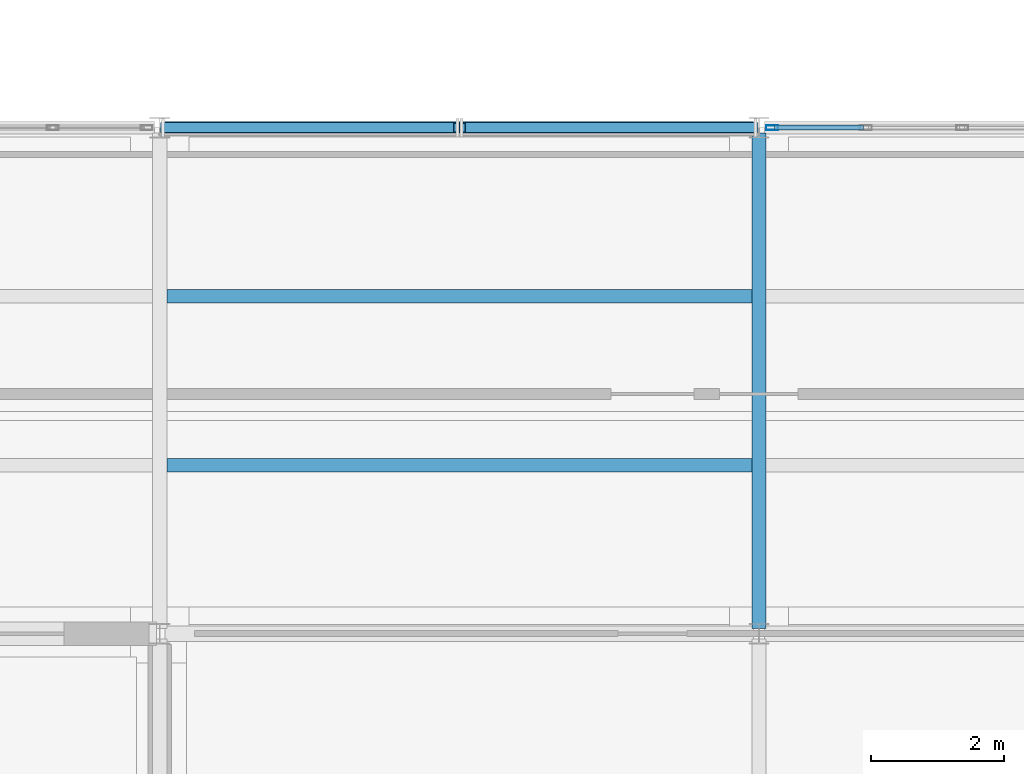
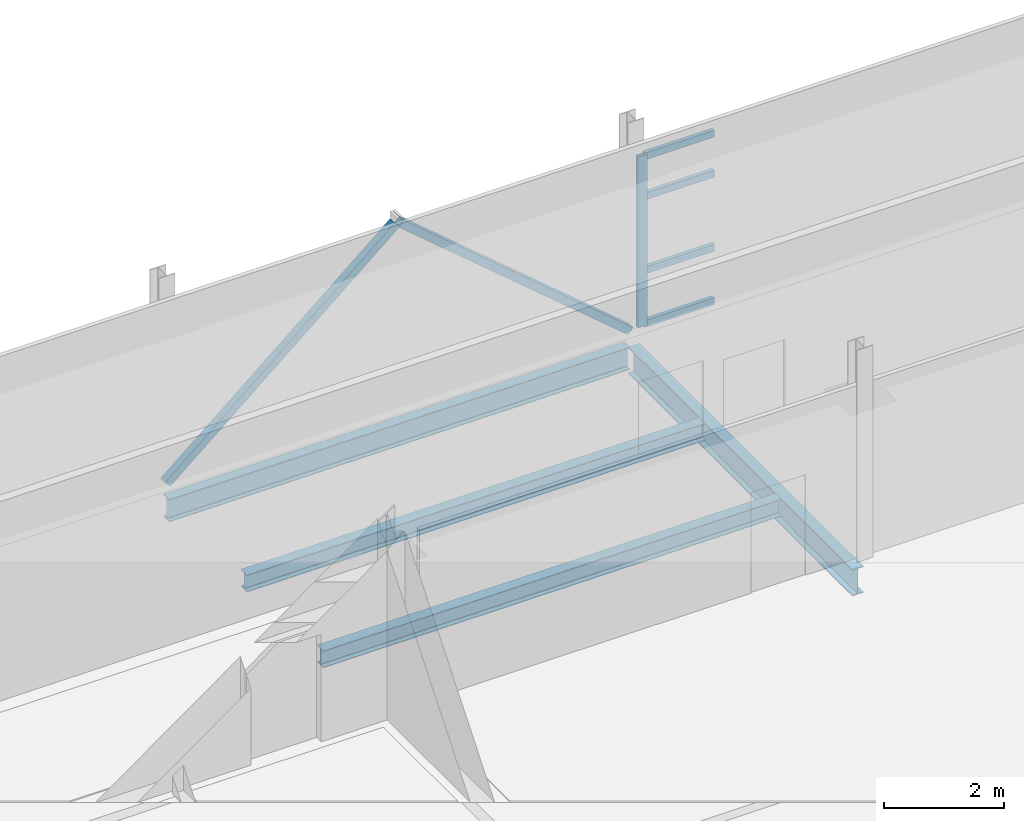
# One storey, part 8 of 48: 7 members, 4 beams, 1 element without a shape of its own.
"""IFC4 building model written with IfcOpenShell, lengths in metres."""

from ifc_helpers import new_model, si_unit, direction, frame, origin, origin_2d, place, context, subcontext, project, spatial, hollow_rectangle, i_section, extrude, material, material_profile, profile_set, type_object, element, aggregate, save


model = new_model("IFC4")

# Units and contexts
model_context = context("Model", 3, precision=1e-05, world=origin(), true_north=direction((0.0, 1.0)))
body_context = subcontext(model_context, "Body", "Model", "MODEL_VIEW")
ifc_project = project(units=[si_unit("LENGTHUNIT", "METRE"), si_unit("AREAUNIT", "SQUARE_METRE"), si_unit("VOLUMEUNIT", "CUBIC_METRE"), si_unit("PLANEANGLEUNIT", "RADIAN"), si_unit("MASSUNIT", "GRAM", prefix="KILO")], contexts=[model_context])

# Site, building, storey
site_placement = place(None, origin())
site = spatial("IfcSite", under=ifc_project, at=site_placement, CompositionType="ELEMENT")
building_placement = place(site_placement, origin())
building = spatial("IfcBuilding", under=site, at=building_placement, Name="Caisbarro Railhouse Central Library", CompositionType="ELEMENT")
storey_placement = place(building_placement, frame((0.0, 0.0, 18.0)))
storey = spatial("IfcBuildingStorey", under=building, at=storey_placement, Name="L04", CompositionType="ELEMENT", Elevation=18.0)

# Beams
ifc_material_1 = material(Name="Steel ASTM A572 Grade 50", Category="steel")
ifc_material_profile_1 = material_profile(ifc_material_1, i_section(OverallWidth=0.2119140625, OverallDepth=0.5439453125, WebThickness=0.01318359375, FlangeThickness=0.021240234375, FilletRadius=0.02001953125, at=origin_2d()), Name="W530X123.0")
ifc_profile_set_1 = profile_set([ifc_material_profile_1], Name="Steel ASTM A572 Grade 50")
beam_type_1 = type_object("IfcBeamType", Name="BM-G05", PredefinedType="BEAM", material=ifc_profile_set_1)
beam_1_placement = place(storey_placement, frame((81.0, 15.280029296875, -0.552001953125), z_axis=(0.0, 1.0, 0.0), x_axis=(-1.0, 0.0, 0.0)))
element("IfcBeam", 1, at=beam_1_placement, inside=storey, type_object=beam_type_1, Name="G05 beam L04 #2043", PredefinedType="BEAM", context=body_context, shape_type="SweptSolid", body=[
    extrude(i_section(OverallWidth=0.2119140625, OverallDepth=0.5439453125, WebThickness=0.01318359375, FlangeThickness=0.021240234375, FilletRadius=0.02001953125, at=origin_2d()), origin(), (0.0, 0.0, 1.0), 7.43994140625),
])
ifc_material_profile_2 = material_profile(ifc_material_1, i_section(OverallWidth=0.202880859375, OverallDepth=0.346923828125, WebThickness=0.0078125, FlangeThickness=0.013427734375, FilletRadius=0.014892578125, at=origin_2d()), Name="W360X64.0")
ifc_profile_set_2 = profile_set([ifc_material_profile_2], Name="Steel ASTM A572 Grade 50")
beam_type_2 = type_object("IfcBeamType", Name="BM-J01", PredefinedType="JOIST", material=ifc_profile_set_2)
for number, where, z_axis, x_axis, name in (
    (2, (72.10595703125, 17.7333984375, -0.45361328125), (1.0, 0.0, 0.0), (0.0, 1.0, 0.0), "J01 beam L04 #2059"),
    (3, (72.10595703125, 20.2666015625, -0.45361328125), (1.0, 0.0, 0.0), (0.0, 1.0, 0.0), "J01 beam L04 #2060"),
):
    element("IfcBeam", number, at=place(storey_placement, frame(where, z_axis=z_axis, x_axis=x_axis)), inside=storey, type_object=beam_type_2, Name=name, PredefinedType="JOIST", context=body_context, shape_type="SweptSolid", body=[
        extrude(i_section(OverallWidth=0.202880859375, OverallDepth=0.346923828125, WebThickness=0.0078125, FlangeThickness=0.013427734375, FilletRadius=0.014892578125, at=origin_2d()), origin(), (0.0, 0.0, 1.0), 8.7880859375),
    ])
ifc_material_profile_3 = material_profile(ifc_material_1, i_section(OverallWidth=0.18994140625, OverallDepth=0.45703125, WebThickness=0.009033203125, FlangeThickness=0.014404296875, FilletRadius=0.01806640625, at=origin_2d()), Name="W460X74.0")
ifc_profile_set_3 = profile_set([ifc_material_profile_3], Name="Steel ASTM A572 Grade 50")
beam_type_3 = type_object("IfcBeamType", Name="BM-SP01", PredefinedType="SPANDREL", material=ifc_profile_set_3)
beam_2_placement = place(storey_placement, frame((72.080078125, 22.800048828125, -0.508544921875), z_axis=(1.0, 0.0, 0.0), x_axis=(0.0, 1.0, 0.0)))
element("IfcBeam", 4, at=beam_2_placement, inside=storey, type_object=beam_type_3, Name="SP01 beam L04 #2031", PredefinedType="SPANDREL", context=body_context, shape_type="SweptSolid", body=[
    extrude(i_section(OverallWidth=0.18994140625, OverallDepth=0.45703125, WebThickness=0.009033203125, FlangeThickness=0.014404296875, FilletRadius=0.01806640625, at=origin_2d()), origin(), (0.0, 0.0, 1.0), 8.83984375),
])

# Curtain wall, members
ifc_material_2 = material(Name="Anodised architectural aluminium", Category="aluminium")
curtain_wall_type = type_object("IfcCurtainWallType", Name="CW-CW02", PredefinedType="NOTDEFINED", material=ifc_material_2)
curtain_wall_placement = place(storey_placement, origin())
curtain_wall = element("IfcCurtainWall", 5, at=curtain_wall_placement, inside=storey, type_object=curtain_wall_type, Name="CW02 curtain wall L04 #68", PredefinedType="NOTDEFINED")
ifc_material_profile_4 = material_profile(ifc_material_2, hollow_rectangle(XDim=0.074951171875, YDim=0.179931640625, WallThickness=0.00439453125, at=origin_2d()), Name="ALU-MUL-75X180")
ifc_profile_set_4 = profile_set([ifc_material_profile_4], Name="Anodised architectural aluminium")
member_type_1 = type_object("IfcMemberType", Name="CWM-M01", PredefinedType="MULLION", material=ifc_profile_set_4)
member_1_placement = place(storey_placement, frame((81.197509765625, 22.800048828125, 0.0), z_axis=(0.0, 0.0, 1.0), x_axis=(0.0, 1.0, 0.0)))
member_1 = element("IfcMember", 6, at=member_1_placement, type_object=member_type_1, Name="CW02 mullion 1", PredefinedType="MULLION", context=body_context, shape_type="SweptSolid", body=[
    extrude(hollow_rectangle(XDim=0.074951171875, YDim=0.179931640625, WallThickness=0.00439453125, at=origin_2d()), origin(), (0.0, 0.0, 1.0), 3.469970703125),
])
ifc_material_profile_5 = material_profile(ifc_material_2, hollow_rectangle(XDim=0.074951171875, YDim=0.139892578125, WallThickness=0.00390625, at=origin_2d()), Name="ALU-TRN-75X140")
ifc_profile_set_5 = profile_set([ifc_material_profile_5], Name="Anodised architectural aluminium")
member_type_2 = type_object("IfcMemberType", Name="CWT-T01", PredefinedType="USERDEFINED", material=ifc_profile_set_5)
member_2_placement = place(storey_placement, frame((81.235107421875, 22.800048828125, 0.03759765625), z_axis=(1.0, 0.0, 0.0), x_axis=(0.0, 1.0, 0.0)))
member_2 = element("IfcMember", 7, at=member_2_placement, type_object=member_type_2, Name="CW02 transom 1.1", ObjectType="TRANSOM", PredefinedType="USERDEFINED", context=body_context, shape_type="SweptSolid", body=[
    extrude(hollow_rectangle(XDim=0.074951171875, YDim=0.139892578125, WallThickness=0.00390625, at=origin_2d()), origin(), (0.0, 0.0, 1.0), 1.333984375),
])
member_3_placement = place(storey_placement, frame((81.235107421875, 22.800048828125, 1.1201171875), z_axis=(1.0, 0.0, 0.0), x_axis=(0.0, 1.0, 0.0)))
member_3 = element("IfcMember", 8, at=member_3_placement, type_object=member_type_2, Name="CW02 transom 1.2", ObjectType="TRANSOM", PredefinedType="USERDEFINED", context=body_context, shape_type="SweptSolid", body=[
    extrude(hollow_rectangle(XDim=0.074951171875, YDim=0.139892578125, WallThickness=0.00390625, at=origin_2d()), origin(), (0.0, 0.0, 1.0), 1.333984375),
])
member_4_placement = place(storey_placement, frame((81.235107421875, 22.800048828125, 2.6201171875), z_axis=(1.0, 0.0, 0.0), x_axis=(0.0, 1.0, 0.0)))
member_4 = element("IfcMember", 9, at=member_4_placement, type_object=member_type_2, Name="CW02 transom 1.3", ObjectType="TRANSOM", PredefinedType="USERDEFINED", context=body_context, shape_type="SweptSolid", body=[
    extrude(hollow_rectangle(XDim=0.074951171875, YDim=0.139892578125, WallThickness=0.00390625, at=origin_2d()), origin(), (0.0, 0.0, 1.0), 1.333984375),
])
member_5_placement = place(storey_placement, frame((81.235107421875, 22.800048828125, 3.4326171875), z_axis=(1.0, 0.0, 0.0), x_axis=(0.0, 1.0, 0.0)))
member_5 = element("IfcMember", 10, at=member_5_placement, type_object=member_type_2, Name="CW02 transom 1.4", ObjectType="TRANSOM", PredefinedType="USERDEFINED", context=body_context, shape_type="SweptSolid", body=[
    extrude(hollow_rectangle(XDim=0.074951171875, YDim=0.139892578125, WallThickness=0.00390625, at=origin_2d()), origin(), (0.0, 0.0, 1.0), 1.333984375),
])
aggregate(curtain_wall, [member_1, member_2, member_3, member_4, member_5])

# Members
ifc_material_profile_6 = material_profile(ifc_material_1, hollow_rectangle(XDim=0.14990234375, YDim=0.14990234375, WallThickness=0.010009765625, at=origin_2d()), Name="HSS150X150X10")
ifc_profile_set_6 = profile_set([ifc_material_profile_6], Name="Steel ASTM A572 Grade 50")
member_type_3 = type_object("IfcMemberType", Name="MEM-BR02", PredefinedType="BRACE", material=ifc_profile_set_6)
for number, where, z_axis, x_axis, name in (
    (11, (72.06005859375, 22.800048828125, 0.02001953125), (0.76364499123, 0.0, 0.645636373952), (0.0, 1.0, 0.0), "BR02 chevron brace Y22-M L04.1"),
    (12, (80.93994140625, 22.800048828125, 0.02001953125), (-0.76364499123, 0.0, 0.645636373952), (0.0, -1.0, 0.0), "BR02 chevron brace Y22-M L04.2"),
):
    element("IfcMember", number, at=place(storey_placement, frame(where, z_axis=z_axis, x_axis=x_axis)), inside=storey, type_object=member_type_3, Name=name, PredefinedType="BRACE", context=body_context, shape_type="SweptSolid", body=[
        extrude(hollow_rectangle(XDim=0.14990234375, YDim=0.14990234375, WallThickness=0.010009765625, at=origin_2d()), origin(), (0.0, 0.0, 1.0), 5.76171875),
    ])

save(model, "model.ifc")
